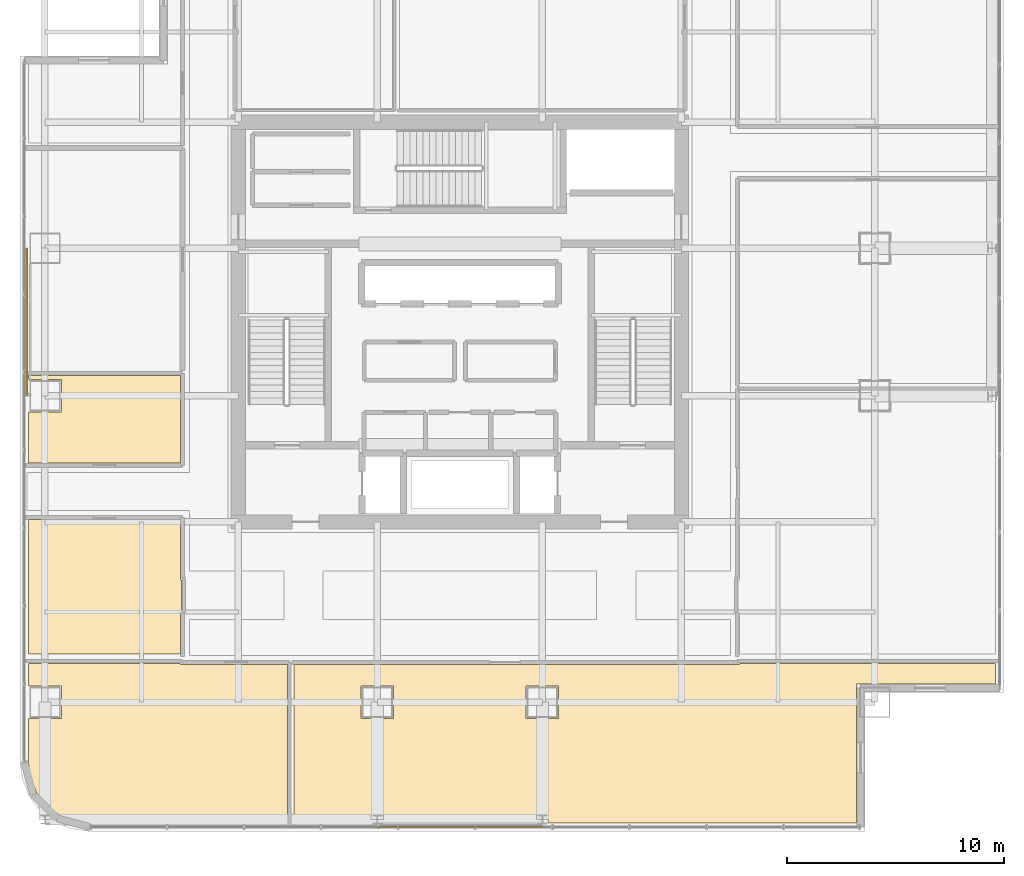
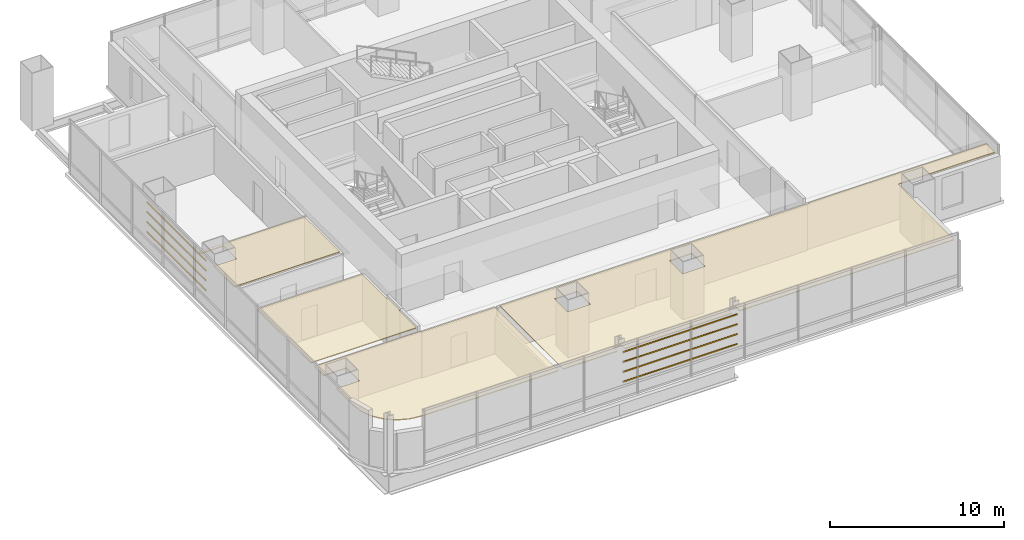
# One storey, part 33 of 37: 8 shading devices, 4 coverings.
"""IFC4 building model written with IfcOpenShell, lengths in metres."""

from ifc_helpers import new_model, si_unit, direction, frame, origin, origin_2d, place, context, subcontext, project, spatial, polyline, hollow_rectangle, outline, extrude, material, layer, layer_set, material_profile, profile_set, type_object, element, save


model = new_model("IFC4")

# Units and contexts
model_context = context("Model", 3, precision=1e-05, world=origin(), true_north=direction((0.0, 1.0)))
body_context = subcontext(model_context, "Body", "Model", "MODEL_VIEW")
ifc_project = project(units=[si_unit("LENGTHUNIT", "METRE"), si_unit("AREAUNIT", "SQUARE_METRE"), si_unit("VOLUMEUNIT", "CUBIC_METRE"), si_unit("PLANEANGLEUNIT", "RADIAN"), si_unit("MASSUNIT", "GRAM", prefix="KILO")], contexts=[model_context])

# Site, building, storey
site_placement = place(None, origin())
site = spatial("IfcSite", under=ifc_project, at=site_placement, CompositionType="ELEMENT")
building_placement = place(site_placement, origin())
building = spatial("IfcBuilding", under=site, at=building_placement, Name="Punatoya Terracotta Tower", CompositionType="ELEMENT")
storey_placement = place(building_placement, frame((0.0, 0.0, 224.85009765625)))
storey = spatial("IfcBuildingStorey", under=building, at=storey_placement, Name="L53", CompositionType="ELEMENT", Elevation=224.85009765625)

# Coverings
ifc_material_1 = material(Name="Acoustic Mineral Fibre Ceiling")
ifc_layer = layer(ifc_material_1, 0.06005859375)
ifc_layer_set = layer_set([ifc_layer], Name="Acoustic Mineral Fibre Ceiling")
covering_type = type_object("IfcCoveringType", Name="COV-CEIL-60", PredefinedType="CEILING", material=ifc_layer_set)
covering_1_placement = place(storey_placement, frame((0.0, 0.0, 3.219970703125)))
element("IfcCovering", 1, at=covering_1_placement, inside=storey, type_object=covering_type, Name="L53 Open-Plan Client Media Salon Acoustic Ceiling", PredefinedType="CEILING", context=body_context, shape_type="SweptSolid", body=[
    extrude(outline(polyline([(-19.8701171875, -18.25), (-19.8701171875, -20.22509765625), (-19.770751953125, -20.97900390625), (-19.489501953125, -21.658203125), (-19.041748046875, -22.24169921875), (-18.458251953125, -22.689453125), (-17.779052734375, -22.970703125), (-17.025146484375, -23.070068359375), (-7.946044921875, -23.070068359375), (-7.946044921875, -15.77001953125), (-12.8701171875, -15.77001953125), (-12.8701171875, -15.7099609375), (-19.8701171875, -15.7099609375), (-19.8701171875, -16.75), (-18.35009765625, -16.75), (-18.35009765625, -18.25), (-19.8701171875, -18.25)])), origin(), (0.0, 0.0, 1.0), 0.059814453125),
])
covering_2_placement = place(storey_placement, frame((0.0, 0.0, 3.219970703125)))
element("IfcCovering", 2, at=covering_2_placement, inside=storey, type_object=covering_type, Name="L53 Media Broadcast Studio Acoustic Ceiling", PredefinedType="CEILING", context=body_context, shape_type="SweptSolid", body=[
    extrude(outline(polyline([(3.54541015625, -22.637451171875), (4.054443359375, -22.637451171875), (4.054443359375, -23.070068359375), (18.27001953125, -23.070068359375), (18.27001953125, -16.669921875), (24.669921875, -16.669921875), (24.669921875, -15.7099609375), (12.8701171875, -15.7099609375), (12.8701171875, -15.77001953125), (-7.6259765625, -15.77001953125), (-7.6259765625, -23.070068359375), (-4.054443359375, -23.070068359375), (-4.054443359375, -22.637451171875), (-3.54541015625, -22.637451171875), (-3.54541015625, -23.070068359375), (3.54541015625, -23.070068359375), (3.54541015625, -22.637451171875)]), holes=[polyline([(3.050048828125, -18.25), (3.050048828125, -16.75), (4.550048828125, -16.75), (4.550048828125, -18.25), (3.050048828125, -18.25)]), polyline([(-3.050048828125, -18.25), (-4.550048828125, -18.25), (-4.550048828125, -16.75), (-3.050048828125, -16.75), (-3.050048828125, -18.25)])]), origin(), (0.0, 0.0, 1.0), 0.059814453125),
])
covering_3_placement = place(storey_placement, frame((0.0, 0.0, 3.219970703125)))
element("IfcCovering", 3, at=covering_3_placement, inside=storey, type_object=covering_type, Name="L53 Graphic Design Workplace Acoustic Ceiling", PredefinedType="CEILING", context=body_context, shape_type="SweptSolid", body=[
    extrude(outline(polyline([(-12.8701171875, -13.280029296875), (-12.81005859375, -13.280029296875), (-12.81005859375, -11.8701171875), (-12.8701171875, -11.8701171875), (-12.8701171875, -9.10009765625), (-19.8701171875, -9.10009765625), (-19.8701171875, -15.2900390625), (-12.8701171875, -15.2900390625), (-12.8701171875, -13.280029296875)])), origin(), (0.0, 0.0, 1.0), 0.059814453125),
])
covering_4_placement = place(storey_placement, frame((0.0, 0.0, 3.219970703125)))
element("IfcCovering", 4, at=covering_4_placement, inside=storey, type_object=covering_type, Name="L53 Open-Plan Hospitality Tea Pantry Acoustic Ceiling", PredefinedType="CEILING", context=body_context, shape_type="SweptSolid", body=[
    extrude(outline(polyline([(-19.8701171875, -4.14990234375), (-19.8701171875, -6.5), (-12.8701171875, -6.5), (-12.8701171875, -2.4619140625), (-19.8701171875, -2.4619140625), (-19.8701171875, -2.64990234375), (-18.35009765625, -2.64990234375), (-18.35009765625, -4.14990234375), (-19.8701171875, -4.14990234375)])), origin(), (0.0, 0.0, 1.0), 0.059814453125),
])

# Shading devices
ifc_material_2 = material(Name="Architectural Fired Terracotta", Category="masonry")
ifc_material_profile = material_profile(ifc_material_2, hollow_rectangle(XDim=0.06005859375, YDim=0.090087890625, WallThickness=0.013916015625, at=origin_2d()))
ifc_profile_set = profile_set([ifc_material_profile], Name="Architectural Fired Terracotta")
shading_device_type = type_object("IfcShadingDeviceType", Name="SHD-JALI-90", PredefinedType="JALOUSIE", material=ifc_profile_set)
for number, where, z_axis, x_axis, name in (
    (5, (-3.800048828125, -23.25244140625, 1.14990234375), (1.0, 0.0, 0.0), (0.0, 1.0, 0.0), "L53 Fired Terracotta Baguette Louvre BAG-L53-S-01"),
    (6, (-3.800048828125, -23.25244140625, 1.84326171875), (1.0, 0.0, 0.0), (0.0, 1.0, 0.0), "L53 Fired Terracotta Baguette Louvre BAG-L53-S-02"),
    (7, (-3.800048828125, -23.25244140625, 2.53662109375), (1.0, 0.0, 0.0), (0.0, 1.0, 0.0), "L53 Fired Terracotta Baguette Louvre BAG-L53-S-03"),
    (8, (-3.800048828125, -23.25244140625, 3.22998046875), (1.0, 0.0, 0.0), (0.0, 1.0, 0.0), "L53 Fired Terracotta Baguette Louvre BAG-L53-S-04"),
):
    element("IfcShadingDevice", number, at=place(storey_placement, frame(where, z_axis=z_axis, x_axis=x_axis)), inside=storey, type_object=shading_device_type, Name=name, PredefinedType="JALOUSIE", context=body_context, shape_type="SweptSolid", body=[
        extrude(hollow_rectangle(XDim=0.06005859375, YDim=0.090087890625, WallThickness=0.013916015625, at=origin_2d()), origin(), (0.0, 0.0, 1.0), 7.60009765625),
    ])
for number, where, z_axis, x_axis, name in (
    (9, (-19.93994140625, -3.39990234375, 1.14990234375), (0.0, 1.0, 0.0), (-1.0, 0.0, 0.0), "L53 Fired Terracotta Baguette Louvre BAG-L53-W-01"),
    (10, (-19.93994140625, -3.39990234375, 1.84326171875), (0.0, 1.0, 0.0), (-1.0, 0.0, 0.0), "L53 Fired Terracotta Baguette Louvre BAG-L53-W-02"),
    (11, (-19.93994140625, -3.39990234375, 2.53662109375), (0.0, 1.0, 0.0), (-1.0, 0.0, 0.0), "L53 Fired Terracotta Baguette Louvre BAG-L53-W-03"),
    (12, (-19.93994140625, -3.39990234375, 3.22998046875), (0.0, 1.0, 0.0), (-1.0, 0.0, 0.0), "L53 Fired Terracotta Baguette Louvre BAG-L53-W-04"),
):
    element("IfcShadingDevice", number, at=place(storey_placement, frame(where, z_axis=z_axis, x_axis=x_axis)), inside=storey, type_object=shading_device_type, Name=name, PredefinedType="JALOUSIE", context=body_context, shape_type="SweptSolid", body=[
        extrude(hollow_rectangle(XDim=0.06005859375, YDim=0.090087890625, WallThickness=0.013916015625, at=origin_2d()), origin(), (0.0, 0.0, 1.0), 6.7998046875),
    ])

save(model, "model.ifc")
